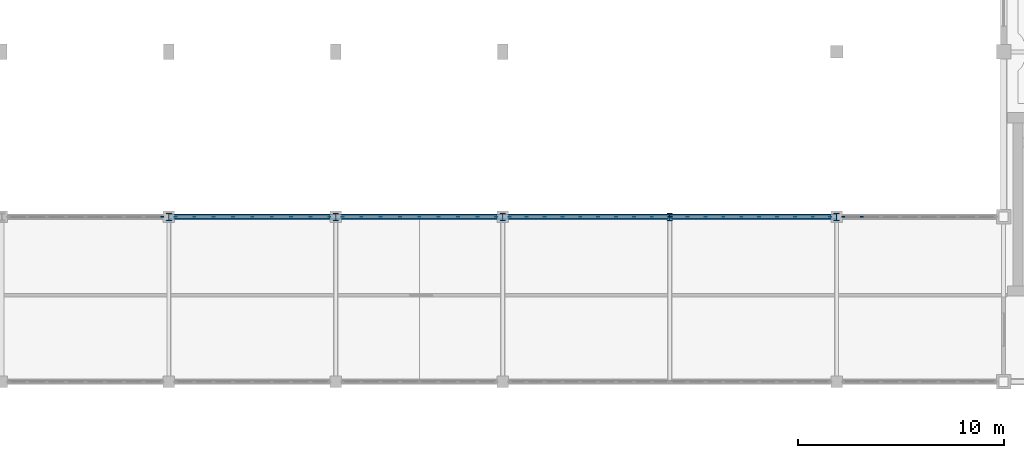
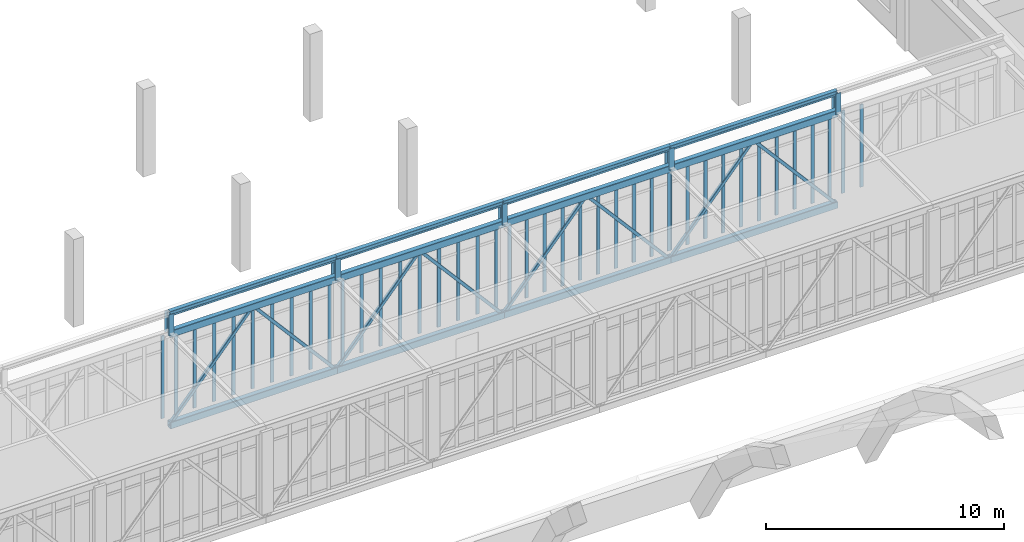
# One storey, part 15 of 67: 62 members, 4 beams, 6 elements without a shape of their own.
"""IFC4 building model written with IfcOpenShell, lengths in metres."""

from ifc_helpers import new_model, si_unit, direction, frame, origin, origin_2d, place, context, subcontext, project, spatial, rectangle, hollow_rectangle, i_section, extrude, material, material_profile, profile_set, type_object, element, aggregate, save


model = new_model("IFC4")

# Units and contexts
model_context = context("Model", 3, precision=1e-05, world=origin(), true_north=direction((0.0, 1.0)))
body_context = subcontext(model_context, "Body", "Model", "MODEL_VIEW")
ifc_project = project(units=[si_unit("LENGTHUNIT", "METRE"), si_unit("AREAUNIT", "SQUARE_METRE"), si_unit("VOLUMEUNIT", "CUBIC_METRE"), si_unit("PLANEANGLEUNIT", "RADIAN"), si_unit("MASSUNIT", "GRAM", prefix="KILO")], contexts=[model_context])

# Site, building, storey
site_placement = place(None, origin())
site = spatial("IfcSite", under=ifc_project, at=site_placement, CompositionType="ELEMENT")
building_placement = place(site_placement, origin())
building = spatial("IfcBuilding", under=site, at=building_placement, Name="Tarnveldt Square Police Headquarters", CompositionType="ELEMENT")
storey_placement = place(building_placement, frame((0.0, 0.0, 10.199951171875)))
storey = spatial("IfcBuildingStorey", under=building, at=storey_placement, Name="L02", CompositionType="ELEMENT", Elevation=10.199951171875)

# Beams
ifc_material_1 = material(Name="Steel 350W", Category="steel")
ifc_material_profile_1 = material_profile(ifc_material_1, i_section(OverallWidth=0.202880859375, OverallDepth=0.251953125, WebThickness=0.008056640625, FlangeThickness=0.013427734375, FilletRadius=0.012939453125, at=origin_2d()), Name="W250x58")
ifc_profile_set_1 = profile_set([ifc_material_profile_1], Name="Steel 350W")
beam_type = type_object("IfcBeamType", Name="BM-W250x58", PredefinedType="BEAM", material=ifc_profile_set_1)
beam_1_placement = place(storey_placement, frame((64.800048828125, 64.0, 5.2900390625), z_axis=(1.0, 0.0, 0.0), x_axis=(0.0, 1.0, 0.0)))
element("IfcBeam", 1, at=beam_1_placement, inside=storey, type_object=beam_type, Name="Skybridge SBS High Eave Beam 3", PredefinedType="BEAM", context=body_context, shape_type="SweptSolid", body=[
    extrude(i_section(OverallWidth=0.202880859375, OverallDepth=0.251953125, WebThickness=0.008056640625, FlangeThickness=0.013427734375, FilletRadius=0.012939453125, at=origin_2d()), origin(), (0.0, 0.0, 1.0), 8.099853515625),
])
for number, where, z_axis, x_axis, name in (
    (2, (72.89990234375, 64.0, 5.2900390625), (1.0, 0.0, 0.0), (0.0, 1.0, 0.0), "Skybridge SBS High Eave Beam 4"),
    (3, (81.0, 64.0, 5.2900390625), (1.0, 0.0, 0.0), (0.0, 1.0, 0.0), "Skybridge SBS High Eave Beam 5"),
):
    element("IfcBeam", number, at=place(storey_placement, frame(where, z_axis=z_axis, x_axis=x_axis)), inside=storey, type_object=beam_type, Name=name, PredefinedType="BEAM", context=body_context, shape_type="SweptSolid", body=[
        extrude(i_section(OverallWidth=0.202880859375, OverallDepth=0.251953125, WebThickness=0.008056640625, FlangeThickness=0.013427734375, FilletRadius=0.012939453125, at=origin_2d()), origin(), (0.0, 0.0, 1.0), 8.10009765625),
    ])
beam_2_placement = place(storey_placement, frame((89.10009765625, 64.0, 5.2900390625), z_axis=(1.0, 0.0, 0.0), x_axis=(0.0, 1.0, 0.0)))
element("IfcBeam", 4, at=beam_2_placement, inside=storey, type_object=beam_type, Name="Skybridge SBS High Eave Beam 6", PredefinedType="BEAM", context=body_context, shape_type="SweptSolid", body=[
    extrude(i_section(OverallWidth=0.202880859375, OverallDepth=0.251953125, WebThickness=0.008056640625, FlangeThickness=0.013427734375, FilletRadius=0.012939453125, at=origin_2d()), origin(), (0.0, 0.0, 1.0), 8.099853515625),
])

# Curtain wall, member
ifc_material_2 = material(Name="Triple-glazed low-e laminated vision glass", Category="glass")
curtain_wall_type_1 = type_object("IfcCurtainWallType", Name="CW-SB-752x424", PredefinedType="USERDEFINED", material=ifc_material_2)
curtain_wall_1_placement = place(storey_placement, origin())
curtain_wall_1 = element("IfcCurtainWall", 5, at=curtain_wall_1_placement, inside=storey, type_object=curtain_wall_type_1, Name="L02 Curtain Wall CW-L02-146", ObjectType="GLAZED CURTAIN WALL", PredefinedType="USERDEFINED")
ifc_material_3 = material(Name="Thermally broken anodised aluminium 6063-T6", Category="aluminium")
ifc_material_profile_2 = material_profile(ifc_material_3, rectangle(XDim=0.06494140625, YDim=0.159912109375, at=origin_2d()), Name="CW-M65x160")
ifc_profile_set_2 = profile_set([ifc_material_profile_2], Name="Thermally broken anodised aluminium 6063-T6")
member_type_1 = type_object("IfcMemberType", Name="CWM-65x160", PredefinedType="MULLION", material=ifc_profile_set_2)
member_1_placement = place(storey_placement, frame((64.4775390625, 64.0, 0.0), z_axis=(0.0, 0.0, 1.0), x_axis=(0.0, 1.0, 0.0)))
member_1 = element("IfcMember", 6, at=member_1_placement, type_object=member_type_1, Name="CW-SB86 mullion 9", PredefinedType="MULLION", context=body_context, shape_type="SweptSolid", body=[
    extrude(rectangle(XDim=0.06494140625, YDim=0.159912109375, at=origin_2d()), origin(), (0.0, 0.0, 1.0), 4.239990234375),
])
aggregate(curtain_wall_1, [member_1])

# Curtain wall, members
curtain_wall_2_placement = place(storey_placement, origin())
curtain_wall_2 = element("IfcCurtainWall", 7, at=curtain_wall_2_placement, inside=storey, type_object=curtain_wall_type_1, Name="L02 Curtain Wall CW-L02-147", ObjectType="GLAZED CURTAIN WALL", PredefinedType="USERDEFINED")
member_2_placement = place(storey_placement, frame((65.12255859375, 64.0, 0.0), z_axis=(0.0, 0.0, 1.0), x_axis=(0.0, 1.0, 0.0)))
member_2 = element("IfcMember", 8, at=member_2_placement, type_object=member_type_1, Name="CW-SB86 mullion 1", PredefinedType="MULLION", context=body_context, shape_type="SweptSolid", body=[
    extrude(rectangle(XDim=0.06494140625, YDim=0.159912109375, at=origin_2d()), origin(), (0.0, 0.0, 1.0), 4.239990234375),
])
member_3_placement = place(storey_placement, frame((66.030029296875, 64.0, 0.0), z_axis=(0.0, 0.0, 1.0), x_axis=(0.0, 1.0, 0.0)))
member_3 = element("IfcMember", 9, at=member_3_placement, type_object=member_type_1, Name="CW-SB86 mullion 2", PredefinedType="MULLION", context=body_context, shape_type="SweptSolid", body=[
    extrude(rectangle(XDim=0.06494140625, YDim=0.159912109375, at=origin_2d()), origin(), (0.0, 0.0, 1.0), 4.239990234375),
])
member_4_placement = place(storey_placement, frame((66.969970703125, 64.0, 0.0), z_axis=(0.0, 0.0, 1.0), x_axis=(0.0, 1.0, 0.0)))
member_4 = element("IfcMember", 10, at=member_4_placement, type_object=member_type_1, Name="CW-SB86 mullion 3", PredefinedType="MULLION", context=body_context, shape_type="SweptSolid", body=[
    extrude(rectangle(XDim=0.06494140625, YDim=0.159912109375, at=origin_2d()), origin(), (0.0, 0.0, 1.0), 4.239990234375),
])
member_5_placement = place(storey_placement, frame((67.909912109375, 64.0, 0.0), z_axis=(0.0, 0.0, 1.0), x_axis=(0.0, 1.0, 0.0)))
member_5 = element("IfcMember", 11, at=member_5_placement, type_object=member_type_1, Name="CW-SB86 mullion 4", PredefinedType="MULLION", context=body_context, shape_type="SweptSolid", body=[
    extrude(rectangle(XDim=0.06494140625, YDim=0.159912109375, at=origin_2d()), origin(), (0.0, 0.0, 1.0), 4.239990234375),
])
member_6_placement = place(storey_placement, frame((68.85009765625, 64.0, 0.0), z_axis=(0.0, 0.0, 1.0), x_axis=(0.0, 1.0, 0.0)))
member_6 = element("IfcMember", 12, at=member_6_placement, type_object=member_type_1, Name="CW-SB86 mullion 5", PredefinedType="MULLION", context=body_context, shape_type="SweptSolid", body=[
    extrude(rectangle(XDim=0.06494140625, YDim=0.159912109375, at=origin_2d()), origin(), (0.0, 0.0, 1.0), 4.239990234375),
])
member_7_placement = place(storey_placement, frame((69.7900390625, 64.0, 0.0), z_axis=(0.0, 0.0, 1.0), x_axis=(0.0, 1.0, 0.0)))
member_7 = element("IfcMember", 13, at=member_7_placement, type_object=member_type_1, Name="CW-SB86 mullion 6", PredefinedType="MULLION", context=body_context, shape_type="SweptSolid", body=[
    extrude(rectangle(XDim=0.06494140625, YDim=0.159912109375, at=origin_2d()), origin(), (0.0, 0.0, 1.0), 4.239990234375),
])
member_8_placement = place(storey_placement, frame((70.72998046875, 64.0, 0.0), z_axis=(0.0, 0.0, 1.0), x_axis=(0.0, 1.0, 0.0)))
member_8 = element("IfcMember", 14, at=member_8_placement, type_object=member_type_1, Name="CW-SB86 mullion 7", PredefinedType="MULLION", context=body_context, shape_type="SweptSolid", body=[
    extrude(rectangle(XDim=0.06494140625, YDim=0.159912109375, at=origin_2d()), origin(), (0.0, 0.0, 1.0), 4.239990234375),
])
member_9_placement = place(storey_placement, frame((71.669921875, 64.0, 0.0), z_axis=(0.0, 0.0, 1.0), x_axis=(0.0, 1.0, 0.0)))
member_9 = element("IfcMember", 15, at=member_9_placement, type_object=member_type_1, Name="CW-SB86 mullion 8", PredefinedType="MULLION", context=body_context, shape_type="SweptSolid", body=[
    extrude(rectangle(XDim=0.06494140625, YDim=0.159912109375, at=origin_2d()), origin(), (0.0, 0.0, 1.0), 4.239990234375),
])
member_10_placement = place(storey_placement, frame((72.577392578125, 64.0, 0.0), z_axis=(0.0, 0.0, 1.0), x_axis=(0.0, 1.0, 0.0)))
member_10 = element("IfcMember", 16, at=member_10_placement, type_object=member_type_1, Name="CW-SB86 mullion 9", PredefinedType="MULLION", context=body_context, shape_type="SweptSolid", body=[
    extrude(rectangle(XDim=0.06494140625, YDim=0.159912109375, at=origin_2d()), origin(), (0.0, 0.0, 1.0), 4.239990234375),
])
aggregate(curtain_wall_2, [member_2, member_3, member_4, member_5, member_6, member_7, member_8, member_9, member_10])

curtain_wall_3_placement = place(storey_placement, origin())
curtain_wall_3 = element("IfcCurtainWall", 17, at=curtain_wall_3_placement, inside=storey, type_object=curtain_wall_type_1, Name="L02 Curtain Wall CW-L02-148", ObjectType="GLAZED CURTAIN WALL", PredefinedType="USERDEFINED")
member_11_placement = place(storey_placement, frame((73.222412109375, 64.0, 0.0), z_axis=(0.0, 0.0, 1.0), x_axis=(0.0, 1.0, 0.0)))
member_11 = element("IfcMember", 18, at=member_11_placement, type_object=member_type_1, Name="CW-SB86 mullion 1", PredefinedType="MULLION", context=body_context, shape_type="SweptSolid", body=[
    extrude(rectangle(XDim=0.06494140625, YDim=0.159912109375, at=origin_2d()), origin(), (0.0, 0.0, 1.0), 4.239990234375),
])
member_12_placement = place(storey_placement, frame((74.1298828125, 64.0, 0.0), z_axis=(0.0, 0.0, 1.0), x_axis=(0.0, 1.0, 0.0)))
member_12 = element("IfcMember", 19, at=member_12_placement, type_object=member_type_1, Name="CW-SB86 mullion 2", PredefinedType="MULLION", context=body_context, shape_type="SweptSolid", body=[
    extrude(rectangle(XDim=0.06494140625, YDim=0.159912109375, at=origin_2d()), origin(), (0.0, 0.0, 1.0), 4.239990234375),
])
member_13_placement = place(storey_placement, frame((75.070068359375, 64.0, 0.0), z_axis=(0.0, 0.0, 1.0), x_axis=(0.0, 1.0, 0.0)))
member_13 = element("IfcMember", 20, at=member_13_placement, type_object=member_type_1, Name="CW-SB86 mullion 3", PredefinedType="MULLION", context=body_context, shape_type="SweptSolid", body=[
    extrude(rectangle(XDim=0.06494140625, YDim=0.159912109375, at=origin_2d()), origin(), (0.0, 0.0, 1.0), 4.239990234375),
])
member_14_placement = place(storey_placement, frame((76.010009765625, 64.0, 0.0), z_axis=(0.0, 0.0, 1.0), x_axis=(0.0, 1.0, 0.0)))
member_14 = element("IfcMember", 21, at=member_14_placement, type_object=member_type_1, Name="CW-SB86 mullion 4", PredefinedType="MULLION", context=body_context, shape_type="SweptSolid", body=[
    extrude(rectangle(XDim=0.06494140625, YDim=0.159912109375, at=origin_2d()), origin(), (0.0, 0.0, 1.0), 4.239990234375),
])
member_15_placement = place(storey_placement, frame((76.949951171875, 64.0, 0.0), z_axis=(0.0, 0.0, 1.0), x_axis=(0.0, 1.0, 0.0)))
member_15 = element("IfcMember", 22, at=member_15_placement, type_object=member_type_1, Name="CW-SB86 mullion 5", PredefinedType="MULLION", context=body_context, shape_type="SweptSolid", body=[
    extrude(rectangle(XDim=0.06494140625, YDim=0.159912109375, at=origin_2d()), origin(), (0.0, 0.0, 1.0), 4.239990234375),
])
member_16_placement = place(storey_placement, frame((77.889892578125, 64.0, 0.0), z_axis=(0.0, 0.0, 1.0), x_axis=(0.0, 1.0, 0.0)))
member_16 = element("IfcMember", 23, at=member_16_placement, type_object=member_type_1, Name="CW-SB86 mullion 6", PredefinedType="MULLION", context=body_context, shape_type="SweptSolid", body=[
    extrude(rectangle(XDim=0.06494140625, YDim=0.159912109375, at=origin_2d()), origin(), (0.0, 0.0, 1.0), 4.239990234375),
])
member_17_placement = place(storey_placement, frame((78.830078125, 64.0, 0.0), z_axis=(0.0, 0.0, 1.0), x_axis=(0.0, 1.0, 0.0)))
member_17 = element("IfcMember", 24, at=member_17_placement, type_object=member_type_1, Name="CW-SB86 mullion 7", PredefinedType="MULLION", context=body_context, shape_type="SweptSolid", body=[
    extrude(rectangle(XDim=0.06494140625, YDim=0.159912109375, at=origin_2d()), origin(), (0.0, 0.0, 1.0), 4.239990234375),
])
member_18_placement = place(storey_placement, frame((79.77001953125, 64.0, 0.0), z_axis=(0.0, 0.0, 1.0), x_axis=(0.0, 1.0, 0.0)))
member_18 = element("IfcMember", 25, at=member_18_placement, type_object=member_type_1, Name="CW-SB86 mullion 8", PredefinedType="MULLION", context=body_context, shape_type="SweptSolid", body=[
    extrude(rectangle(XDim=0.06494140625, YDim=0.159912109375, at=origin_2d()), origin(), (0.0, 0.0, 1.0), 4.239990234375),
])
member_19_placement = place(storey_placement, frame((80.677490234375, 64.0, 0.0), z_axis=(0.0, 0.0, 1.0), x_axis=(0.0, 1.0, 0.0)))
member_19 = element("IfcMember", 26, at=member_19_placement, type_object=member_type_1, Name="CW-SB86 mullion 9", PredefinedType="MULLION", context=body_context, shape_type="SweptSolid", body=[
    extrude(rectangle(XDim=0.06494140625, YDim=0.159912109375, at=origin_2d()), origin(), (0.0, 0.0, 1.0), 4.239990234375),
])
aggregate(curtain_wall_3, [member_11, member_12, member_13, member_14, member_15, member_16, member_17, member_18, member_19])

curtain_wall_type_2 = type_object("IfcCurtainWallType", Name="CW-SB-781x424", PredefinedType="USERDEFINED", material=ifc_material_2)
curtain_wall_4_placement = place(storey_placement, origin())
curtain_wall_4 = element("IfcCurtainWall", 27, at=curtain_wall_4_placement, inside=storey, type_object=curtain_wall_type_2, Name="L02 Curtain Wall CW-L02-149", ObjectType="GLAZED CURTAIN WALL", PredefinedType="USERDEFINED")
member_20_placement = place(storey_placement, frame((81.322509765625, 64.0, 0.0), z_axis=(0.0, 0.0, 1.0), x_axis=(0.0, 1.0, 0.0)))
member_20 = element("IfcMember", 28, at=member_20_placement, type_object=member_type_1, Name="CW-SB87 mullion 1", PredefinedType="MULLION", context=body_context, shape_type="SweptSolid", body=[
    extrude(rectangle(XDim=0.06494140625, YDim=0.159912109375, at=origin_2d()), origin(), (0.0, 0.0, 1.0), 4.239990234375),
])
member_21_placement = place(storey_placement, frame((82.15771484375, 64.0, 0.0), z_axis=(0.0, 0.0, 1.0), x_axis=(0.0, 1.0, 0.0)))
member_21 = element("IfcMember", 29, at=member_21_placement, type_object=member_type_1, Name="CW-SB87 mullion 2", PredefinedType="MULLION", context=body_context, shape_type="SweptSolid", body=[
    extrude(rectangle(XDim=0.06494140625, YDim=0.159912109375, at=origin_2d()), origin(), (0.0, 0.0, 1.0), 4.239990234375),
])
member_22_placement = place(storey_placement, frame((83.025634765625, 64.0, 0.0), z_axis=(0.0, 0.0, 1.0), x_axis=(0.0, 1.0, 0.0)))
member_22 = element("IfcMember", 30, at=member_22_placement, type_object=member_type_1, Name="CW-SB87 mullion 3", PredefinedType="MULLION", context=body_context, shape_type="SweptSolid", body=[
    extrude(rectangle(XDim=0.06494140625, YDim=0.159912109375, at=origin_2d()), origin(), (0.0, 0.0, 1.0), 4.239990234375),
])
member_23_placement = place(storey_placement, frame((83.893310546875, 64.0, 0.0), z_axis=(0.0, 0.0, 1.0), x_axis=(0.0, 1.0, 0.0)))
member_23 = element("IfcMember", 31, at=member_23_placement, type_object=member_type_1, Name="CW-SB87 mullion 4", PredefinedType="MULLION", context=body_context, shape_type="SweptSolid", body=[
    extrude(rectangle(XDim=0.06494140625, YDim=0.159912109375, at=origin_2d()), origin(), (0.0, 0.0, 1.0), 4.239990234375),
])
member_24_placement = place(storey_placement, frame((84.76123046875, 64.0, 0.0), z_axis=(0.0, 0.0, 1.0), x_axis=(0.0, 1.0, 0.0)))
member_24 = element("IfcMember", 32, at=member_24_placement, type_object=member_type_1, Name="CW-SB87 mullion 5", PredefinedType="MULLION", context=body_context, shape_type="SweptSolid", body=[
    extrude(rectangle(XDim=0.06494140625, YDim=0.159912109375, at=origin_2d()), origin(), (0.0, 0.0, 1.0), 4.239990234375),
])
member_25_placement = place(storey_placement, frame((85.62890625, 64.0, 0.0), z_axis=(0.0, 0.0, 1.0), x_axis=(0.0, 1.0, 0.0)))
member_25 = element("IfcMember", 33, at=member_25_placement, type_object=member_type_1, Name="CW-SB87 mullion 6", PredefinedType="MULLION", context=body_context, shape_type="SweptSolid", body=[
    extrude(rectangle(XDim=0.06494140625, YDim=0.159912109375, at=origin_2d()), origin(), (0.0, 0.0, 1.0), 4.239990234375),
])
member_26_placement = place(storey_placement, frame((86.49658203125, 64.0, 0.0), z_axis=(0.0, 0.0, 1.0), x_axis=(0.0, 1.0, 0.0)))
member_26 = element("IfcMember", 34, at=member_26_placement, type_object=member_type_1, Name="CW-SB87 mullion 7", PredefinedType="MULLION", context=body_context, shape_type="SweptSolid", body=[
    extrude(rectangle(XDim=0.06494140625, YDim=0.159912109375, at=origin_2d()), origin(), (0.0, 0.0, 1.0), 4.239990234375),
])
member_27_placement = place(storey_placement, frame((87.364501953125, 64.0, 0.0), z_axis=(0.0, 0.0, 1.0), x_axis=(0.0, 1.0, 0.0)))
member_27 = element("IfcMember", 35, at=member_27_placement, type_object=member_type_1, Name="CW-SB87 mullion 8", PredefinedType="MULLION", context=body_context, shape_type="SweptSolid", body=[
    extrude(rectangle(XDim=0.06494140625, YDim=0.159912109375, at=origin_2d()), origin(), (0.0, 0.0, 1.0), 4.239990234375),
])
member_28_placement = place(storey_placement, frame((88.232177734375, 64.0, 0.0), z_axis=(0.0, 0.0, 1.0), x_axis=(0.0, 1.0, 0.0)))
member_28 = element("IfcMember", 36, at=member_28_placement, type_object=member_type_1, Name="CW-SB87 mullion 9", PredefinedType="MULLION", context=body_context, shape_type="SweptSolid", body=[
    extrude(rectangle(XDim=0.06494140625, YDim=0.159912109375, at=origin_2d()), origin(), (0.0, 0.0, 1.0), 4.239990234375),
])
member_29_placement = place(storey_placement, frame((89.0673828125, 64.0, 0.0), z_axis=(0.0, 0.0, 1.0), x_axis=(0.0, 1.0, 0.0)))
member_29 = element("IfcMember", 37, at=member_29_placement, type_object=member_type_1, Name="CW-SB87 mullion 10", PredefinedType="MULLION", context=body_context, shape_type="SweptSolid", body=[
    extrude(rectangle(XDim=0.06494140625, YDim=0.159912109375, at=origin_2d()), origin(), (0.0, 0.0, 1.0), 4.239990234375),
])
aggregate(curtain_wall_4, [member_20, member_21, member_22, member_23, member_24, member_25, member_26, member_27, member_28, member_29])

curtain_wall_5_placement = place(storey_placement, origin())
curtain_wall_5 = element("IfcCurtainWall", 38, at=curtain_wall_5_placement, inside=storey, type_object=curtain_wall_type_2, Name="L02 Curtain Wall CW-L02-150", ObjectType="GLAZED CURTAIN WALL", PredefinedType="USERDEFINED")
member_30_placement = place(storey_placement, frame((89.132568359375, 64.0, 0.0), z_axis=(0.0, 0.0, 1.0), x_axis=(0.0, 1.0, 0.0)))
member_30 = element("IfcMember", 39, at=member_30_placement, type_object=member_type_1, Name="CW-SB87 mullion 1", PredefinedType="MULLION", context=body_context, shape_type="SweptSolid", body=[
    extrude(rectangle(XDim=0.06494140625, YDim=0.159912109375, at=origin_2d()), origin(), (0.0, 0.0, 1.0), 4.239990234375),
])
member_31_placement = place(storey_placement, frame((89.9677734375, 64.0, 0.0), z_axis=(0.0, 0.0, 1.0), x_axis=(0.0, 1.0, 0.0)))
member_31 = element("IfcMember", 40, at=member_31_placement, type_object=member_type_1, Name="CW-SB87 mullion 2", PredefinedType="MULLION", context=body_context, shape_type="SweptSolid", body=[
    extrude(rectangle(XDim=0.06494140625, YDim=0.159912109375, at=origin_2d()), origin(), (0.0, 0.0, 1.0), 4.239990234375),
])
member_32_placement = place(storey_placement, frame((90.83544921875, 64.0, 0.0), z_axis=(0.0, 0.0, 1.0), x_axis=(0.0, 1.0, 0.0)))
member_32 = element("IfcMember", 41, at=member_32_placement, type_object=member_type_1, Name="CW-SB87 mullion 3", PredefinedType="MULLION", context=body_context, shape_type="SweptSolid", body=[
    extrude(rectangle(XDim=0.06494140625, YDim=0.159912109375, at=origin_2d()), origin(), (0.0, 0.0, 1.0), 4.239990234375),
])
member_33_placement = place(storey_placement, frame((91.703369140625, 64.0, 0.0), z_axis=(0.0, 0.0, 1.0), x_axis=(0.0, 1.0, 0.0)))
member_33 = element("IfcMember", 42, at=member_33_placement, type_object=member_type_1, Name="CW-SB87 mullion 4", PredefinedType="MULLION", context=body_context, shape_type="SweptSolid", body=[
    extrude(rectangle(XDim=0.06494140625, YDim=0.159912109375, at=origin_2d()), origin(), (0.0, 0.0, 1.0), 4.239990234375),
])
member_34_placement = place(storey_placement, frame((92.571044921875, 64.0, 0.0), z_axis=(0.0, 0.0, 1.0), x_axis=(0.0, 1.0, 0.0)))
member_34 = element("IfcMember", 43, at=member_34_placement, type_object=member_type_1, Name="CW-SB87 mullion 5", PredefinedType="MULLION", context=body_context, shape_type="SweptSolid", body=[
    extrude(rectangle(XDim=0.06494140625, YDim=0.159912109375, at=origin_2d()), origin(), (0.0, 0.0, 1.0), 4.239990234375),
])
member_35_placement = place(storey_placement, frame((93.43896484375, 64.0, 0.0), z_axis=(0.0, 0.0, 1.0), x_axis=(0.0, 1.0, 0.0)))
member_35 = element("IfcMember", 44, at=member_35_placement, type_object=member_type_1, Name="CW-SB87 mullion 6", PredefinedType="MULLION", context=body_context, shape_type="SweptSolid", body=[
    extrude(rectangle(XDim=0.06494140625, YDim=0.159912109375, at=origin_2d()), origin(), (0.0, 0.0, 1.0), 4.239990234375),
])
member_36_placement = place(storey_placement, frame((94.306640625, 64.0, 0.0), z_axis=(0.0, 0.0, 1.0), x_axis=(0.0, 1.0, 0.0)))
member_36 = element("IfcMember", 45, at=member_36_placement, type_object=member_type_1, Name="CW-SB87 mullion 7", PredefinedType="MULLION", context=body_context, shape_type="SweptSolid", body=[
    extrude(rectangle(XDim=0.06494140625, YDim=0.159912109375, at=origin_2d()), origin(), (0.0, 0.0, 1.0), 4.239990234375),
])
member_37_placement = place(storey_placement, frame((95.174560546875, 64.0, 0.0), z_axis=(0.0, 0.0, 1.0), x_axis=(0.0, 1.0, 0.0)))
member_37 = element("IfcMember", 46, at=member_37_placement, type_object=member_type_1, Name="CW-SB87 mullion 8", PredefinedType="MULLION", context=body_context, shape_type="SweptSolid", body=[
    extrude(rectangle(XDim=0.06494140625, YDim=0.159912109375, at=origin_2d()), origin(), (0.0, 0.0, 1.0), 4.239990234375),
])
member_38_placement = place(storey_placement, frame((96.042236328125, 64.0, 0.0), z_axis=(0.0, 0.0, 1.0), x_axis=(0.0, 1.0, 0.0)))
member_38 = element("IfcMember", 47, at=member_38_placement, type_object=member_type_1, Name="CW-SB87 mullion 9", PredefinedType="MULLION", context=body_context, shape_type="SweptSolid", body=[
    extrude(rectangle(XDim=0.06494140625, YDim=0.159912109375, at=origin_2d()), origin(), (0.0, 0.0, 1.0), 4.239990234375),
])
member_39_placement = place(storey_placement, frame((96.87744140625, 64.0, 0.0), z_axis=(0.0, 0.0, 1.0), x_axis=(0.0, 1.0, 0.0)))
member_39 = element("IfcMember", 48, at=member_39_placement, type_object=member_type_1, Name="CW-SB87 mullion 10", PredefinedType="MULLION", context=body_context, shape_type="SweptSolid", body=[
    extrude(rectangle(XDim=0.06494140625, YDim=0.159912109375, at=origin_2d()), origin(), (0.0, 0.0, 1.0), 4.239990234375),
])
aggregate(curtain_wall_5, [member_30, member_31, member_32, member_33, member_34, member_35, member_36, member_37, member_38, member_39])

curtain_wall_type_3 = type_object("IfcCurtainWallType", Name="CW-SB-745x424", PredefinedType="USERDEFINED", material=ifc_material_2)
curtain_wall_6_placement = place(storey_placement, origin())
curtain_wall_6 = element("IfcCurtainWall", 49, at=curtain_wall_6_placement, inside=storey, type_object=curtain_wall_type_3, Name="L02 Curtain Wall CW-L02-151", ObjectType="GLAZED CURTAIN WALL", PredefinedType="USERDEFINED")
member_40_placement = place(storey_placement, frame((97.5224609375, 64.0, 0.0), z_axis=(0.0, 0.0, 1.0), x_axis=(0.0, 1.0, 0.0)))
member_40 = element("IfcMember", 50, at=member_40_placement, type_object=member_type_1, Name="CW-SB88 mullion 1", PredefinedType="MULLION", context=body_context, shape_type="SweptSolid", body=[
    extrude(rectangle(XDim=0.06494140625, YDim=0.159912109375, at=origin_2d()), origin(), (0.0, 0.0, 1.0), 4.239990234375),
])
member_41_placement = place(storey_placement, frame((98.420654296875, 64.0, 0.0), z_axis=(0.0, 0.0, 1.0), x_axis=(0.0, 1.0, 0.0)))
member_41 = element("IfcMember", 51, at=member_41_placement, type_object=member_type_1, Name="CW-SB88 mullion 2", PredefinedType="MULLION", context=body_context, shape_type="SweptSolid", body=[
    extrude(rectangle(XDim=0.06494140625, YDim=0.159912109375, at=origin_2d()), origin(), (0.0, 0.0, 1.0), 4.239990234375),
])
aggregate(curtain_wall_6, [member_40, member_41])

# Members
ifc_material_profile_3 = material_profile(ifc_material_1, i_section(OverallWidth=0.257080078125, OverallDepth=0.363037109375, WebThickness=0.012939453125, FlangeThickness=0.021728515625, FilletRadius=0.01611328125, at=origin_2d()), Name="W360x122")
ifc_profile_set_3 = profile_set([ifc_material_profile_3], Name="Steel 350W")
member_type_2 = type_object("IfcMemberType", Name="MEM-CT-POST", PredefinedType="STRUT", material=ifc_profile_set_3)
for number, where, z_axis, x_axis, name in (
    (52, (64.800048828125, 64.0, 4.25), (0.0, 0.0, 1.0), (1.0, 0.0, 0.0), "Skybridge SBS Roof Post 3"),
    (53, (72.89990234375, 64.0, 4.25), (0.0, 0.0, 1.0), (1.0, 0.0, 0.0), "Skybridge SBS Roof Post 4"),
    (54, (81.0, 64.0, 4.25), (0.0, 0.0, 1.0), (1.0, 0.0, 0.0), "Skybridge SBS Roof Post 5"),
    (55, (89.10009765625, 64.0, 4.25), (0.0, 0.0, 1.0), (1.0, 0.0, 0.0), "Skybridge SBS Roof Post 6"),
    (56, (97.199951171875, 64.0, 4.25), (0.0, 0.0, 1.0), (1.0, 0.0, 0.0), "Skybridge SBS Roof Post 7"),
):
    element("IfcMember", number, at=place(storey_placement, frame(where, z_axis=z_axis, x_axis=x_axis)), inside=storey, type_object=member_type_2, Name=name, PredefinedType="STRUT", context=body_context, shape_type="SweptSolid", body=[
        extrude(i_section(OverallWidth=0.257080078125, OverallDepth=0.363037109375, WebThickness=0.012939453125, FlangeThickness=0.021728515625, FilletRadius=0.01611328125, at=origin_2d()), origin(), (0.0, 0.0, 1.0), 1.080078125),
    ])
ifc_material_profile_4 = material_profile(ifc_material_1, hollow_rectangle(XDim=0.25390625, YDim=0.355712890625, WallThickness=0.015869140625, InnerFilletRadius=0.015869140625, OuterFilletRadius=0.03173828125, at=origin_2d()), Name="HSS356x254x16")
ifc_profile_set_4 = profile_set([ifc_material_profile_4], Name="Steel 350W")
member_type_3 = type_object("IfcMemberType", Name="MEM-SB-CHORD", PredefinedType="CHORD", material=ifc_profile_set_4)
for number, where, z_axis, x_axis, name in (
    (57, (64.800048828125, 64.0, -0.43994140625), (1.0, 0.0, 0.0), (0.0, 1.0, 0.0), "Skybridge SBS Bottom Chord N3"),
    (58, (64.800048828125, 64.0, 4.25), (1.0, 0.0, 0.0), (0.0, 1.0, 0.0), "Skybridge SBS Top Chord N3"),
):
    element("IfcMember", number, at=place(storey_placement, frame(where, z_axis=z_axis, x_axis=x_axis)), inside=storey, type_object=member_type_3, Name=name, PredefinedType="CHORD", context=body_context, shape_type="SweptSolid", body=[
        extrude(hollow_rectangle(XDim=0.25390625, YDim=0.355712890625, WallThickness=0.015869140625, InnerFilletRadius=0.015869140625, OuterFilletRadius=0.03173828125, at=origin_2d()), origin(), (0.0, 0.0, 1.0), 8.099853515625),
    ])
for number, where, z_axis, x_axis, name in (
    (59, (72.89990234375, 64.0, -0.43994140625), (1.0, 0.0, 0.0), (0.0, 1.0, 0.0), "Skybridge SBS Bottom Chord N4"),
    (60, (72.89990234375, 64.0, 4.25), (1.0, 0.0, 0.0), (0.0, 1.0, 0.0), "Skybridge SBS Top Chord N4"),
    (61, (81.0, 64.0, -0.43994140625), (1.0, 0.0, 0.0), (0.0, 1.0, 0.0), "Skybridge SBS Bottom Chord N5"),
    (62, (81.0, 64.0, 4.25), (1.0, 0.0, 0.0), (0.0, 1.0, 0.0), "Skybridge SBS Top Chord N5"),
):
    element("IfcMember", number, at=place(storey_placement, frame(where, z_axis=z_axis, x_axis=x_axis)), inside=storey, type_object=member_type_3, Name=name, PredefinedType="CHORD", context=body_context, shape_type="SweptSolid", body=[
        extrude(hollow_rectangle(XDim=0.25390625, YDim=0.355712890625, WallThickness=0.015869140625, InnerFilletRadius=0.015869140625, OuterFilletRadius=0.03173828125, at=origin_2d()), origin(), (0.0, 0.0, 1.0), 8.10009765625),
    ])
for number, where, z_axis, x_axis, name in (
    (63, (89.10009765625, 64.0, -0.43994140625), (1.0, 0.0, 0.0), (0.0, 1.0, 0.0), "Skybridge SBS Bottom Chord N6"),
    (64, (89.10009765625, 64.0, 4.25), (1.0, 0.0, 0.0), (0.0, 1.0, 0.0), "Skybridge SBS Top Chord N6"),
):
    element("IfcMember", number, at=place(storey_placement, frame(where, z_axis=z_axis, x_axis=x_axis)), inside=storey, type_object=member_type_3, Name=name, PredefinedType="CHORD", context=body_context, shape_type="SweptSolid", body=[
        extrude(hollow_rectangle(XDim=0.25390625, YDim=0.355712890625, WallThickness=0.015869140625, InnerFilletRadius=0.015869140625, OuterFilletRadius=0.03173828125, at=origin_2d()), origin(), (0.0, 0.0, 1.0), 8.099853515625),
    ])
ifc_material_profile_5 = material_profile(ifc_material_1, hollow_rectangle(XDim=0.15234375, YDim=0.15234375, WallThickness=0.009521484375, InnerFilletRadius=0.009521484375, OuterFilletRadius=0.01904296875, at=origin_2d()), Name="HSS152x152x9.5")
ifc_profile_set_5 = profile_set([ifc_material_profile_5], Name="Steel 350W")
member_type_4 = type_object("IfcMemberType", Name="MEM-SB-WEB", PredefinedType="BRACE", material=ifc_profile_set_5)
for number, where, z_axis, x_axis, name in (
    (65, (64.800048828125, 64.0, -0.43994140625), (0.653587045151, 0.0, 0.756851355558), (0.0, 1.0, 0.0), "Skybridge SBS Web A3"),
    (66, (72.89990234375, 64.0, -0.43994140625), (-0.65356447569, 0.0, 0.756870845069), (0.0, -1.0, 0.0), "Skybridge SBS Web B3"),
    (67, (72.89990234375, 64.0, -0.43994140625), (0.653587045151, 0.0, 0.756851355558), (0.0, 1.0, 0.0), "Skybridge SBS Web A4"),
    (68, (81.0, 64.0, -0.43994140625), (-0.653587045151, 0.0, 0.756851355558), (0.0, -1.0, 0.0), "Skybridge SBS Web B4"),
    (69, (81.0, 64.0, -0.43994140625), (0.653587045151, 0.0, 0.756851355558), (0.0, 1.0, 0.0), "Skybridge SBS Web A5"),
    (70, (89.10009765625, 64.0, -0.43994140625), (-0.653587045151, 0.0, 0.756851355558), (0.0, -1.0, 0.0), "Skybridge SBS Web B5"),
    (71, (89.10009765625, 64.0, -0.43994140625), (0.65356447569, 0.0, 0.756870845069), (0.0, 1.0, 0.0), "Skybridge SBS Web A6"),
    (72, (97.199951171875, 64.0, -0.43994140625), (-0.653587045151, 0.0, 0.756851355558), (0.0, -1.0, 0.0), "Skybridge SBS Web B6"),
):
    element("IfcMember", number, at=place(storey_placement, frame(where, z_axis=z_axis, x_axis=x_axis)), inside=storey, type_object=member_type_4, Name=name, PredefinedType="BRACE", context=body_context, shape_type="SweptSolid", body=[
        extrude(hollow_rectangle(XDim=0.15234375, YDim=0.15234375, WallThickness=0.009521484375, InnerFilletRadius=0.009521484375, OuterFilletRadius=0.01904296875, at=origin_2d()), origin(), (0.0, 0.0, 1.0), 6.196533203125),
    ])

save(model, "model.ifc")
